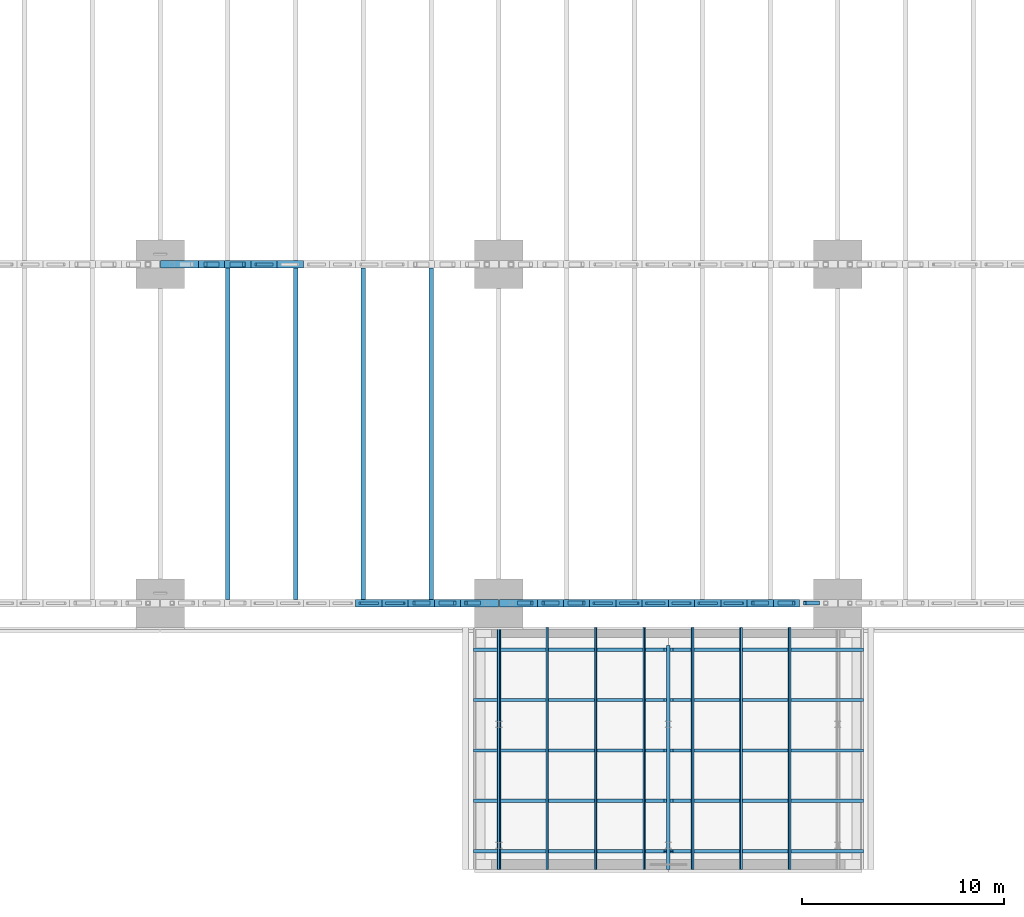
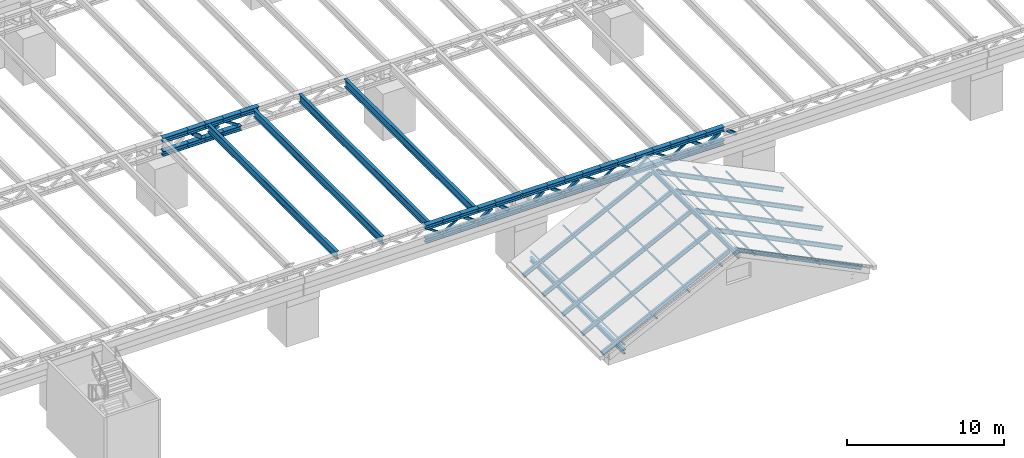
# One storey, part 22 of 93: 78 members, 6 beams.
"""IFC4 building model written with IfcOpenShell, lengths in metres."""

from ifc_helpers import new_model, si_unit, direction, frame, origin, origin_2d, place, context, subcontext, project, spatial, hollow_rectangle, i_section, extrude, material, material_profile, profile_set, type_object, element, save


model = new_model("IFC4")

# Units and contexts
model_context = context("Model", 3, precision=1e-05, world=origin(), true_north=direction((0.0, 1.0)))
body_context = subcontext(model_context, "Body", "Model", "MODEL_VIEW")
ifc_project = project(units=[si_unit("LENGTHUNIT", "METRE"), si_unit("AREAUNIT", "SQUARE_METRE"), si_unit("VOLUMEUNIT", "CUBIC_METRE"), si_unit("PLANEANGLEUNIT", "RADIAN"), si_unit("MASSUNIT", "GRAM", prefix="KILO")], contexts=[model_context])

# Site, building, storey
site_placement = place(None, origin())
site = spatial("IfcSite", under=ifc_project, at=site_placement, CompositionType="ELEMENT")
building_placement = place(site_placement, origin())
building = spatial("IfcBuilding", under=site, at=building_placement, Name="Verrick Yard Athletic Hall", CompositionType="ELEMENT")
storey_placement = place(building_placement, frame((0.0, 0.0, 8.800048828125)))
storey = spatial("IfcBuildingStorey", under=building, at=storey_placement, Name="L02", CompositionType="ELEMENT", Elevation=8.800048828125)

# Beam
ifc_material_1 = material(Name="Structural steel 350W (CSA G40.21)", Category="steel")
ifc_material_profile_1 = material_profile(ifc_material_1, i_section(OverallWidth=0.205078125, OverallDepth=0.31005859375, WebThickness=0.009521484375, FlangeThickness=0.016357421875, at=origin_2d()), Name="W310x74")
ifc_profile_set_1 = profile_set([ifc_material_profile_1], Name="Structural steel 350W (CSA G40.21)")
beam_type_1 = type_object("IfcBeamType", Name="STR Eave beam W310x74", PredefinedType="BEAM", material=ifc_profile_set_1)
beam_1_placement = place(storey_placement, frame((90.39990234375, 6.0, 0.634765625), z_axis=(0.0, 1.0, 0.0), x_axis=(-1.0, 0.0, 0.0)))
element("IfcBeam", 1, at=beam_1_placement, inside=storey, type_object=beam_type_1, Name="STR-EB-F1", PredefinedType="BEAM", context=body_context, shape_type="SweptSolid", body=[
    extrude(i_section(OverallWidth=0.205078125, OverallDepth=0.31005859375, WebThickness=0.009521484375, FlangeThickness=0.016357421875, at=origin_2d()), origin(), (0.0, 0.0, 1.0), 12.0),
])

# Members
ifc_material_profile_2 = material_profile(ifc_material_1, i_section(OverallWidth=0.368896484375, OverallDepth=0.35595703125, WebThickness=0.01123046875, FlangeThickness=0.01806640625, at=origin_2d()), Name="W360x134")
ifc_profile_set_2 = profile_set([ifc_material_profile_2], Name="Structural steel 350W (CSA G40.21)")
member_type_1 = type_object("IfcMemberType", Name="STR Edge truss bottom chord W360x134", PredefinedType="CHORD", material=ifc_profile_set_2)
member_1_placement = place(storey_placement, frame((83.300048828125, 19.199951171875, 3.827880859375), z_axis=(1.0, 0.0, 0.0), x_axis=(0.0, 1.0, 0.0)))
element("IfcMember", 2, at=member_1_placement, inside=storey, type_object=member_type_1, Name="STR-BC-GA3-8", PredefinedType="CHORD", context=body_context, shape_type="SweptSolid", body=[
    extrude(i_section(OverallWidth=0.368896484375, OverallDepth=0.35595703125, WebThickness=0.01123046875, FlangeThickness=0.01806640625, at=origin_2d()), origin(), (0.0, 0.0, 1.0), 1.300048828125),
])
member_2_placement = place(storey_placement, frame((84.60009765625, 19.199951171875, 3.827880859375), z_axis=(1.0, 0.0, 0.0), x_axis=(0.0, 1.0, 0.0)))
element("IfcMember", 3, at=member_2_placement, inside=storey, type_object=member_type_1, Name="STR-BC-GA3-9", PredefinedType="CHORD", context=body_context, shape_type="SweptSolid", body=[
    extrude(i_section(OverallWidth=0.368896484375, OverallDepth=0.35595703125, WebThickness=0.01123046875, FlangeThickness=0.01806640625, at=origin_2d()), origin(), (0.0, 0.0, 1.0), 1.2998046875),
])
for number, where, z_axis, x_axis, name in (
    (4, (85.89990234375, 19.199951171875, 3.827880859375), (1.0, 0.0, 0.0), (0.0, 1.0, 0.0), "STR-BC-GA3-10"),
    (5, (87.199951171875, 19.199951171875, 3.827880859375), (1.0, 0.0, 0.0), (0.0, 1.0, 0.0), "STR-BC-GA3-11"),
):
    element("IfcMember", number, at=place(storey_placement, frame(where, z_axis=z_axis, x_axis=x_axis)), inside=storey, type_object=member_type_1, Name=name, PredefinedType="CHORD", context=body_context, shape_type="SweptSolid", body=[
        extrude(i_section(OverallWidth=0.368896484375, OverallDepth=0.35595703125, WebThickness=0.01123046875, FlangeThickness=0.01806640625, at=origin_2d()), origin(), (0.0, 0.0, 1.0), 1.300048828125),
    ])
for number, where, z_axis, x_axis, name in (
    (6, (88.5, 19.199951171875, 3.827880859375), (1.0, 0.0, 0.0), (0.0, 1.0, 0.0), "STR-BC-GA3-12"),
    (7, (90.425048828125, 19.199951171875, 3.827880859375), (1.0, 0.0, 0.0), (0.0, 1.0, 0.0), "STR-BC-GA4-1"),
):
    element("IfcMember", number, at=place(storey_placement, frame(where, z_axis=z_axis, x_axis=x_axis)), inside=storey, type_object=member_type_1, Name=name, PredefinedType="CHORD", context=body_context, shape_type="SweptSolid", body=[
        extrude(i_section(OverallWidth=0.368896484375, OverallDepth=0.35595703125, WebThickness=0.01123046875, FlangeThickness=0.01806640625, at=origin_2d()), origin(), (0.0, 0.0, 1.0), 1.875),
    ])
member_3_placement = place(storey_placement, frame((92.300048828125, 19.199951171875, 3.827880859375), z_axis=(1.0, 0.0, 0.0), x_axis=(0.0, 1.0, 0.0)))
element("IfcMember", 8, at=member_3_placement, inside=storey, type_object=member_type_1, Name="STR-BC-GA4-2", PredefinedType="CHORD", context=body_context, shape_type="SweptSolid", body=[
    extrude(i_section(OverallWidth=0.368896484375, OverallDepth=0.35595703125, WebThickness=0.01123046875, FlangeThickness=0.01806640625, at=origin_2d()), origin(), (0.0, 0.0, 1.0), 1.300048828125),
])
member_4_placement = place(storey_placement, frame((93.60009765625, 19.199951171875, 3.827880859375), z_axis=(1.0, 0.0, 0.0), x_axis=(0.0, 1.0, 0.0)))
element("IfcMember", 9, at=member_4_placement, inside=storey, type_object=member_type_1, Name="STR-BC-GA4-3", PredefinedType="CHORD", context=body_context, shape_type="SweptSolid", body=[
    extrude(i_section(OverallWidth=0.368896484375, OverallDepth=0.35595703125, WebThickness=0.01123046875, FlangeThickness=0.01806640625, at=origin_2d()), origin(), (0.0, 0.0, 1.0), 1.2998046875),
])
for number, where, z_axis, x_axis, name in (
    (10, (94.89990234375, 19.199951171875, 3.827880859375), (1.0, 0.0, 0.0), (0.0, 1.0, 0.0), "STR-BC-GA4-4"),
    (11, (96.199951171875, 19.199951171875, 3.827880859375), (1.0, 0.0, 0.0), (0.0, 1.0, 0.0), "STR-BC-GA4-5"),
    (12, (97.5, 19.199951171875, 3.827880859375), (1.0, 0.0, 0.0), (0.0, 1.0, 0.0), "STR-BC-GA4-6"),
    (13, (98.800048828125, 19.199951171875, 3.827880859375), (1.0, 0.0, 0.0), (0.0, 1.0, 0.0), "STR-BC-GA4-7"),
):
    element("IfcMember", number, at=place(storey_placement, frame(where, z_axis=z_axis, x_axis=x_axis)), inside=storey, type_object=member_type_1, Name=name, PredefinedType="CHORD", context=body_context, shape_type="SweptSolid", body=[
        extrude(i_section(OverallWidth=0.368896484375, OverallDepth=0.35595703125, WebThickness=0.01123046875, FlangeThickness=0.01806640625, at=origin_2d()), origin(), (0.0, 0.0, 1.0), 1.300048828125),
    ])
member_5_placement = place(storey_placement, frame((100.10009765625, 19.199951171875, 3.827880859375), z_axis=(1.0, 0.0, 0.0), x_axis=(0.0, 1.0, 0.0)))
element("IfcMember", 14, at=member_5_placement, inside=storey, type_object=member_type_1, Name="STR-BC-GA4-8", PredefinedType="CHORD", context=body_context, shape_type="SweptSolid", body=[
    extrude(i_section(OverallWidth=0.368896484375, OverallDepth=0.35595703125, WebThickness=0.01123046875, FlangeThickness=0.01806640625, at=origin_2d()), origin(), (0.0, 0.0, 1.0), 1.2998046875),
])
for number, where, z_axis, x_axis, name in (
    (15, (101.39990234375, 19.199951171875, 3.827880859375), (1.0, 0.0, 0.0), (0.0, 1.0, 0.0), "STR-BC-GA4-9"),
    (16, (102.699951171875, 19.199951171875, 3.827880859375), (1.0, 0.0, 0.0), (0.0, 1.0, 0.0), "STR-BC-GA4-10"),
    (17, (104.0, 19.199951171875, 3.827880859375), (1.0, 0.0, 0.0), (0.0, 1.0, 0.0), "STR-BC-GA4-11"),
):
    element("IfcMember", number, at=place(storey_placement, frame(where, z_axis=z_axis, x_axis=x_axis)), inside=storey, type_object=member_type_1, Name=name, PredefinedType="CHORD", context=body_context, shape_type="SweptSolid", body=[
        extrude(i_section(OverallWidth=0.368896484375, OverallDepth=0.35595703125, WebThickness=0.01123046875, FlangeThickness=0.01806640625, at=origin_2d()), origin(), (0.0, 0.0, 1.0), 1.300048828125),
    ])
ifc_material_profile_3 = material_profile(ifc_material_1, i_section(OverallWidth=0.368896484375, OverallDepth=0.35595703125, WebThickness=0.01123046875, FlangeThickness=0.01806640625, at=origin_2d()), Name="W360x134")
ifc_profile_set_3 = profile_set([ifc_material_profile_3], Name="Structural steel 350W (CSA G40.21)")
member_type_2 = type_object("IfcMemberType", Name="STR Edge truss top chord W360x134", PredefinedType="CHORD", material=ifc_profile_set_3)
member_6_placement = place(storey_placement, frame((83.300048828125, 19.199951171875, 4.8720703125), z_axis=(1.0, 0.0, 0.0), x_axis=(0.0, 1.0, 0.0)))
element("IfcMember", 18, at=member_6_placement, inside=storey, type_object=member_type_2, Name="STR-TC-GA3-8", PredefinedType="CHORD", context=body_context, shape_type="SweptSolid", body=[
    extrude(i_section(OverallWidth=0.368896484375, OverallDepth=0.35595703125, WebThickness=0.01123046875, FlangeThickness=0.01806640625, at=origin_2d()), origin(), (0.0, 0.0, 1.0), 1.300048828125),
])
member_7_placement = place(storey_placement, frame((84.60009765625, 19.199951171875, 4.8720703125), z_axis=(1.0, 0.0, 0.0), x_axis=(0.0, 1.0, 0.0)))
element("IfcMember", 19, at=member_7_placement, inside=storey, type_object=member_type_2, Name="STR-TC-GA3-9", PredefinedType="CHORD", context=body_context, shape_type="SweptSolid", body=[
    extrude(i_section(OverallWidth=0.368896484375, OverallDepth=0.35595703125, WebThickness=0.01123046875, FlangeThickness=0.01806640625, at=origin_2d()), origin(), (0.0, 0.0, 1.0), 1.2998046875),
])
for number, where, z_axis, x_axis, name in (
    (20, (85.89990234375, 19.199951171875, 4.8720703125), (1.0, 0.0, 0.0), (0.0, 1.0, 0.0), "STR-TC-GA3-10"),
    (21, (87.199951171875, 19.199951171875, 4.8720703125), (1.0, 0.0, 0.0), (0.0, 1.0, 0.0), "STR-TC-GA3-11"),
):
    element("IfcMember", number, at=place(storey_placement, frame(where, z_axis=z_axis, x_axis=x_axis)), inside=storey, type_object=member_type_2, Name=name, PredefinedType="CHORD", context=body_context, shape_type="SweptSolid", body=[
        extrude(i_section(OverallWidth=0.368896484375, OverallDepth=0.35595703125, WebThickness=0.01123046875, FlangeThickness=0.01806640625, at=origin_2d()), origin(), (0.0, 0.0, 1.0), 1.300048828125),
    ])
for number, where, z_axis, x_axis, name in (
    (22, (88.5, 19.199951171875, 4.8720703125), (1.0, 0.0, 0.0), (0.0, 1.0, 0.0), "STR-TC-GA3-12"),
    (23, (90.425048828125, 19.199951171875, 4.8720703125), (1.0, 0.0, 0.0), (0.0, 1.0, 0.0), "STR-TC-GA4-1"),
):
    element("IfcMember", number, at=place(storey_placement, frame(where, z_axis=z_axis, x_axis=x_axis)), inside=storey, type_object=member_type_2, Name=name, PredefinedType="CHORD", context=body_context, shape_type="SweptSolid", body=[
        extrude(i_section(OverallWidth=0.368896484375, OverallDepth=0.35595703125, WebThickness=0.01123046875, FlangeThickness=0.01806640625, at=origin_2d()), origin(), (0.0, 0.0, 1.0), 1.875),
    ])
member_8_placement = place(storey_placement, frame((92.300048828125, 19.199951171875, 4.8720703125), z_axis=(1.0, 0.0, 0.0), x_axis=(0.0, 1.0, 0.0)))
element("IfcMember", 24, at=member_8_placement, inside=storey, type_object=member_type_2, Name="STR-TC-GA4-2", PredefinedType="CHORD", context=body_context, shape_type="SweptSolid", body=[
    extrude(i_section(OverallWidth=0.368896484375, OverallDepth=0.35595703125, WebThickness=0.01123046875, FlangeThickness=0.01806640625, at=origin_2d()), origin(), (0.0, 0.0, 1.0), 1.300048828125),
])
member_9_placement = place(storey_placement, frame((93.60009765625, 19.199951171875, 4.8720703125), z_axis=(1.0, 0.0, 0.0), x_axis=(0.0, 1.0, 0.0)))
element("IfcMember", 25, at=member_9_placement, inside=storey, type_object=member_type_2, Name="STR-TC-GA4-3", PredefinedType="CHORD", context=body_context, shape_type="SweptSolid", body=[
    extrude(i_section(OverallWidth=0.368896484375, OverallDepth=0.35595703125, WebThickness=0.01123046875, FlangeThickness=0.01806640625, at=origin_2d()), origin(), (0.0, 0.0, 1.0), 1.2998046875),
])
for number, where, z_axis, x_axis, name in (
    (26, (94.89990234375, 19.199951171875, 4.8720703125), (1.0, 0.0, 0.0), (0.0, 1.0, 0.0), "STR-TC-GA4-4"),
    (27, (96.199951171875, 19.199951171875, 4.8720703125), (1.0, 0.0, 0.0), (0.0, 1.0, 0.0), "STR-TC-GA4-5"),
    (28, (97.5, 19.199951171875, 4.8720703125), (1.0, 0.0, 0.0), (0.0, 1.0, 0.0), "STR-TC-GA4-6"),
    (29, (98.800048828125, 19.199951171875, 4.8720703125), (1.0, 0.0, 0.0), (0.0, 1.0, 0.0), "STR-TC-GA4-7"),
):
    element("IfcMember", number, at=place(storey_placement, frame(where, z_axis=z_axis, x_axis=x_axis)), inside=storey, type_object=member_type_2, Name=name, PredefinedType="CHORD", context=body_context, shape_type="SweptSolid", body=[
        extrude(i_section(OverallWidth=0.368896484375, OverallDepth=0.35595703125, WebThickness=0.01123046875, FlangeThickness=0.01806640625, at=origin_2d()), origin(), (0.0, 0.0, 1.0), 1.300048828125),
    ])
member_10_placement = place(storey_placement, frame((100.10009765625, 19.199951171875, 4.8720703125), z_axis=(1.0, 0.0, 0.0), x_axis=(0.0, 1.0, 0.0)))
element("IfcMember", 30, at=member_10_placement, inside=storey, type_object=member_type_2, Name="STR-TC-GA4-8", PredefinedType="CHORD", context=body_context, shape_type="SweptSolid", body=[
    extrude(i_section(OverallWidth=0.368896484375, OverallDepth=0.35595703125, WebThickness=0.01123046875, FlangeThickness=0.01806640625, at=origin_2d()), origin(), (0.0, 0.0, 1.0), 1.2998046875),
])
for number, where, z_axis, x_axis, name in (
    (31, (101.39990234375, 19.199951171875, 4.8720703125), (1.0, 0.0, 0.0), (0.0, 1.0, 0.0), "STR-TC-GA4-9"),
    (32, (102.699951171875, 19.199951171875, 4.8720703125), (1.0, 0.0, 0.0), (0.0, 1.0, 0.0), "STR-TC-GA4-10"),
    (33, (104.0, 19.199951171875, 4.8720703125), (1.0, 0.0, 0.0), (0.0, 1.0, 0.0), "STR-TC-GA4-11"),
):
    element("IfcMember", number, at=place(storey_placement, frame(where, z_axis=z_axis, x_axis=x_axis)), inside=storey, type_object=member_type_2, Name=name, PredefinedType="CHORD", context=body_context, shape_type="SweptSolid", body=[
        extrude(i_section(OverallWidth=0.368896484375, OverallDepth=0.35595703125, WebThickness=0.01123046875, FlangeThickness=0.01806640625, at=origin_2d()), origin(), (0.0, 0.0, 1.0), 1.300048828125),
    ])
ifc_material_2 = material(Name="Structural steel HSS Class C 350W (CSA G40.20/G40.21)", Category="steel")
ifc_material_profile_4 = material_profile(ifc_material_2, hollow_rectangle(XDim=0.126953125, YDim=0.126953125, WallThickness=0.009521484375, at=origin_2d()), Name="HSS127x127x9.5")
ifc_profile_set_4 = profile_set([ifc_material_profile_4], Name="Structural steel HSS Class C 350W (CSA G40.20/G40.21)")
member_type_3 = type_object("IfcMemberType", Name="STR Edge truss web HSS127x127x9.5", PredefinedType="BRACE", material=ifc_profile_set_4)
member_11_placement = place(storey_placement, frame((83.50244140625, 19.199951171875, 4.641357421875), z_axis=(0.838083139624, 0.0, -0.54554252912), x_axis=(0.0, 1.0, 0.0)))
element("IfcMember", 34, at=member_11_placement, inside=storey, type_object=member_type_3, Name="STR-TW-GA3-8", PredefinedType="BRACE", context=body_context, shape_type="SweptSolid", body=[
    extrude(hollow_rectangle(XDim=0.126953125, YDim=0.126953125, WallThickness=0.009521484375, at=origin_2d()), origin(), (0.0, 0.0, 1.0), 1.068115234375),
])
member_12_placement = place(storey_placement, frame((84.80224609375, 19.199951171875, 4.05859375), z_axis=(0.838151139583, 0.0, 0.545438050759), x_axis=(0.0, 1.0, 0.0)))
element("IfcMember", 35, at=member_12_placement, inside=storey, type_object=member_type_3, Name="STR-TW-GA3-9", PredefinedType="BRACE", context=body_context, shape_type="SweptSolid", body=[
    extrude(hollow_rectangle(XDim=0.126953125, YDim=0.126953125, WallThickness=0.009521484375, at=origin_2d()), origin(), (0.0, 0.0, 1.0), 1.068359375),
])
for number, where, z_axis, x_axis, name in (
    (36, (95.102294921875, 19.199951171875, 4.641357421875), (0.838083139624, 0.0, -0.54554252912), (0.0, 1.0, 0.0), "STR-TW-GA4-4"),
    (37, (96.40234375, 19.199951171875, 4.05859375), (0.838083139624, 0.0, 0.54554252912), (0.0, 1.0, 0.0), "STR-TW-GA4-5"),
    (38, (97.702392578125, 19.199951171875, 4.641357421875), (0.838083139624, 0.0, -0.54554252912), (0.0, 1.0, 0.0), "STR-TW-GA4-6"),
    (39, (99.00244140625, 19.199951171875, 4.05859375), (0.838083139624, 0.0, 0.54554252912), (0.0, 1.0, 0.0), "STR-TW-GA4-7"),
):
    element("IfcMember", number, at=place(storey_placement, frame(where, z_axis=z_axis, x_axis=x_axis)), inside=storey, type_object=member_type_3, Name=name, PredefinedType="BRACE", context=body_context, shape_type="SweptSolid", body=[
        extrude(hollow_rectangle(XDim=0.126953125, YDim=0.126953125, WallThickness=0.009521484375, at=origin_2d()), origin(), (0.0, 0.0, 1.0), 1.068115234375),
    ])
member_13_placement = place(storey_placement, frame((100.30224609375, 19.199951171875, 4.641357421875), z_axis=(0.838151139583, 0.0, -0.545438050759), x_axis=(0.0, 1.0, 0.0)))
element("IfcMember", 40, at=member_13_placement, inside=storey, type_object=member_type_3, Name="STR-TW-GA4-8", PredefinedType="BRACE", context=body_context, shape_type="SweptSolid", body=[
    extrude(hollow_rectangle(XDim=0.126953125, YDim=0.126953125, WallThickness=0.009521484375, at=origin_2d()), origin(), (0.0, 0.0, 1.0), 1.068359375),
])
member_14_placement = place(storey_placement, frame((101.602294921875, 19.199951171875, 4.05859375), z_axis=(0.838083139624, 0.0, 0.54554252912), x_axis=(0.0, 1.0, 0.0)))
element("IfcMember", 41, at=member_14_placement, inside=storey, type_object=member_type_3, Name="STR-TW-GA4-9", PredefinedType="BRACE", context=body_context, shape_type="SweptSolid", body=[
    extrude(hollow_rectangle(XDim=0.126953125, YDim=0.126953125, WallThickness=0.009521484375, at=origin_2d()), origin(), (0.0, 0.0, 1.0), 1.068115234375),
])
ifc_material_profile_5 = material_profile(ifc_material_2, hollow_rectangle(XDim=0.203125, YDim=0.203125, WallThickness=0.0126953125, at=origin_2d()), Name="HSS203x203x13")
ifc_profile_set_5 = profile_set([ifc_material_profile_5], Name="Structural steel HSS Class C 350W (CSA G40.20/G40.21)")
member_type_4 = type_object("IfcMemberType", Name="STR Edge truss web HSS203x203x13", PredefinedType="BRACE", material=ifc_profile_set_5)
member_15_placement = place(storey_placement, frame((86.189697265625, 19.199951171875, 4.6123046875), z_axis=(0.808333297144, 0.0, -0.588725131728), x_axis=(0.0, 1.0, 0.0)))
element("IfcMember", 42, at=member_15_placement, inside=storey, type_object=member_type_4, Name="STR-TW-GA3-10", PredefinedType="BRACE", context=body_context, shape_type="SweptSolid", body=[
    extrude(hollow_rectangle(XDim=0.203125, YDim=0.203125, WallThickness=0.0126953125, at=origin_2d()), origin(), (0.0, 0.0, 1.0), 0.8916015625),
])
member_16_placement = place(storey_placement, frame((87.489501953125, 19.199951171875, 4.08740234375), z_axis=(0.808428172865, 0.0, 0.588594843095), x_axis=(0.0, 1.0, 0.0)))
element("IfcMember", 43, at=member_16_placement, inside=storey, type_object=member_type_4, Name="STR-TW-GA3-11", PredefinedType="BRACE", context=body_context, shape_type="SweptSolid", body=[
    extrude(hollow_rectangle(XDim=0.203125, YDim=0.203125, WallThickness=0.0126953125, at=origin_2d()), origin(), (0.0, 0.0, 1.0), 0.891845703125),
])
for number, where, z_axis, x_axis, name in (
    (44, (88.765625, 19.199951171875, 4.615234375), (0.780391329508, 0.0, -0.625291430318), (0.0, 1.0, 0.0), "STR-TW-GA3-12"),
    (45, (91.372314453125, 19.199951171875, 4.084716796875), (0.780391329508, 0.0, 0.625291430318), (0.0, 1.0, 0.0), "STR-TW-GA4-1"),
):
    element("IfcMember", number, at=place(storey_placement, frame(where, z_axis=z_axis, x_axis=x_axis)), inside=storey, type_object=member_type_4, Name=name, PredefinedType="BRACE", context=body_context, shape_type="SweptSolid", body=[
        extrude(hollow_rectangle(XDim=0.203125, YDim=0.203125, WallThickness=0.0126953125, at=origin_2d()), origin(), (0.0, 0.0, 1.0), 0.848388671875),
    ])
for number, where, z_axis, x_axis, name in (
    (46, (92.589599609375, 19.199951171875, 4.6123046875), (0.808333297144, 0.0, -0.588725131728), (0.0, 1.0, 0.0), "STR-TW-GA4-2"),
    (47, (93.8896484375, 19.199951171875, 4.08740234375), (0.808333297144, 0.0, 0.588725131728), (0.0, 1.0, 0.0), "STR-TW-GA4-3"),
):
    element("IfcMember", number, at=place(storey_placement, frame(where, z_axis=z_axis, x_axis=x_axis)), inside=storey, type_object=member_type_4, Name=name, PredefinedType="BRACE", context=body_context, shape_type="SweptSolid", body=[
        extrude(hollow_rectangle(XDim=0.203125, YDim=0.203125, WallThickness=0.0126953125, at=origin_2d()), origin(), (0.0, 0.0, 1.0), 0.8916015625),
    ])
for number, where, z_axis, x_axis, name in (
    (48, (102.989501953125, 19.199951171875, 4.6123046875), (0.808428172865, 0.0, -0.588594843095), (0.0, 1.0, 0.0), "STR-TW-GA4-10"),
    (49, (104.28955078125, 19.199951171875, 4.08740234375), (0.808428172865, 0.0, 0.588594843095), (0.0, 1.0, 0.0), "STR-TW-GA4-11"),
):
    element("IfcMember", number, at=place(storey_placement, frame(where, z_axis=z_axis, x_axis=x_axis)), inside=storey, type_object=member_type_4, Name=name, PredefinedType="BRACE", context=body_context, shape_type="SweptSolid", body=[
        extrude(hollow_rectangle(XDim=0.203125, YDim=0.203125, WallThickness=0.0126953125, at=origin_2d()), origin(), (0.0, 0.0, 1.0), 0.891845703125),
    ])
member_17_placement = place(storey_placement, frame((105.565673828125, 19.199951171875, 4.615234375), z_axis=(0.780391329508, 0.0, -0.625291430318), x_axis=(0.0, 1.0, 0.0)))
element("IfcMember", 50, at=member_17_placement, inside=storey, type_object=member_type_4, Name="STR-TW-GA4-12", PredefinedType="BRACE", context=body_context, shape_type="SweptSolid", body=[
    extrude(hollow_rectangle(XDim=0.203125, YDim=0.203125, WallThickness=0.0126953125, at=origin_2d()), origin(), (0.0, 0.0, 1.0), 0.848388671875),
])
ifc_material_profile_6 = material_profile(ifc_material_2, hollow_rectangle(XDim=0.1015625, YDim=0.1015625, WallThickness=0.00634765625, at=origin_2d()), Name="HSS102x102x6.4")
ifc_profile_set_6 = profile_set([ifc_material_profile_6], Name="Structural steel HSS Class C 350W (CSA G40.20/G40.21)")
member_type_5 = type_object("IfcMemberType", Name="STR Purlin HSS102x102x6.4", PredefinedType="PURLIN", material=ifc_profile_set_6)
for number, where, z_axis, x_axis, name in (
    (51, (97.60009765625, 6.0, 4.793212890625), (0.0, 1.0, 0.0), (-0.894427191001, 0.0, -0.447213595499), "STR-PU-FW1"),
    (52, (95.199951171875, 6.0, 3.59326171875), (0.0, 1.0, 0.0), (-0.894427191001, 0.0, -0.447213595499), "STR-PU-FW2"),
    (53, (92.800048828125, 6.0, 2.39306640625), (0.0, 1.0, 0.0), (-0.894427191001, 0.0, -0.447213595499), "STR-PU-FW3"),
    (54, (90.39990234375, 6.0, 1.193115234375), (0.0, 1.0, 0.0), (-0.894427191001, 0.0, -0.447213595499), "STR-PU-FW4"),
    (55, (100.0, 6.0, 4.793212890625), (0.0, 1.0, 0.0), (-0.894427191001, 0.0, 0.447213595499), "STR-PU-FE1"),
    (56, (102.39990234375, 6.0, 3.59326171875), (0.0, 1.0, 0.0), (-0.894427191001, 0.0, 0.447213595499), "STR-PU-FE2"),
    (57, (104.800048828125, 6.0, 2.39306640625), (0.0, 1.0, 0.0), (-0.894427191001, 0.0, 0.447213595499), "STR-PU-FE3"),
):
    element("IfcMember", number, at=place(storey_placement, frame(where, z_axis=z_axis, x_axis=x_axis)), inside=storey, type_object=member_type_5, Name=name, PredefinedType="PURLIN", context=body_context, shape_type="SweptSolid", body=[
        extrude(hollow_rectangle(XDim=0.1015625, YDim=0.1015625, WallThickness=0.00634765625, at=origin_2d()), origin(), (0.0, 0.0, 1.0), 12.0),
    ])
ifc_material_profile_7 = material_profile(ifc_material_1, i_section(OverallWidth=0.1650390625, OverallDepth=0.31005859375, WebThickness=0.005859375, FlangeThickness=0.009765625, at=origin_2d()), Name="W310x39")
ifc_profile_set_7 = profile_set([ifc_material_profile_7], Name="Structural steel 350W (CSA G40.21)")
member_type_6 = type_object("IfcMemberType", Name="STR Rafter W310x39", PredefinedType="RAFTER", material=ifc_profile_set_7)
for number, where, z_axis, x_axis, name in (
    (58, (98.64306640625, 6.89990234375, 5.084716796875), (-0.894422566104, 0.0, -0.447222845173), (0.0, -1.0, 0.0), "STR-RA-FW1"),
    (59, (98.956787109375, 6.89990234375, 5.084716796875), (0.894422566104, 0.0, -0.447222845173), (0.0, 1.0, 0.0), "STR-RA-FE1"),
    (60, (98.64306640625, 9.39990234375, 5.084716796875), (-0.894422566104, 0.0, -0.447222845173), (0.0, -1.0, 0.0), "STR-RA-FW2"),
    (61, (98.956787109375, 9.39990234375, 5.084716796875), (0.894422566104, 0.0, -0.447222845173), (0.0, 1.0, 0.0), "STR-RA-FE2"),
    (62, (98.64306640625, 11.89990234375, 5.084716796875), (-0.894422566104, 0.0, -0.447222845173), (0.0, -1.0, 0.0), "STR-RA-FW3"),
    (63, (98.956787109375, 11.89990234375, 5.084716796875), (0.894422566104, 0.0, -0.447222845173), (0.0, 1.0, 0.0), "STR-RA-FE3"),
    (64, (98.64306640625, 14.39990234375, 5.084716796875), (-0.894422566104, 0.0, -0.447222845173), (0.0, -1.0, 0.0), "STR-RA-FW4"),
    (65, (98.956787109375, 14.39990234375, 5.084716796875), (0.894422566104, 0.0, -0.447222845173), (0.0, 1.0, 0.0), "STR-RA-FE4"),
    (66, (98.64306640625, 16.89990234375, 5.084716796875), (-0.894422566104, 0.0, -0.447222845173), (0.0, -1.0, 0.0), "STR-RA-FW5"),
    (67, (98.956787109375, 16.89990234375, 5.084716796875), (0.894422566104, 0.0, -0.447222845173), (0.0, 1.0, 0.0), "STR-RA-FE5"),
):
    element("IfcMember", number, at=place(storey_placement, frame(where, z_axis=z_axis, x_axis=x_axis)), inside=storey, type_object=member_type_6, Name=name, PredefinedType="RAFTER", context=body_context, shape_type="SweptSolid", body=[
        extrude(i_section(OverallWidth=0.1650390625, OverallDepth=0.31005859375, WebThickness=0.005859375, FlangeThickness=0.009765625, at=origin_2d()), origin(), (0.0, 0.0, 1.0), 10.557861328125),
    ])

# Beams
ifc_material_profile_8 = material_profile(ifc_material_1, i_section(OverallWidth=0.1708984375, OverallDepth=0.35498046875, WebThickness=0.007080078125, FlangeThickness=0.01171875, at=origin_2d()), Name="W360x51")
ifc_profile_set_8 = profile_set([ifc_material_profile_8], Name="Structural steel 350W (CSA G40.21)")
beam_type_2 = type_object("IfcBeamType", Name="STR Ridge beam W360x51", PredefinedType="BEAM", material=ifc_profile_set_8)
beam_2_placement = place(storey_placement, frame((98.800048828125, 6.0, 5.158935546875), z_axis=(0.0, 1.0, 0.0), x_axis=(-1.0, 0.0, 0.0)))
element("IfcBeam", 68, at=beam_2_placement, inside=storey, type_object=beam_type_2, Name="STR-RB-F1", PredefinedType="BEAM", context=body_context, shape_type="SweptSolid", body=[
    extrude(i_section(OverallWidth=0.1708984375, OverallDepth=0.35498046875, WebThickness=0.007080078125, FlangeThickness=0.01171875, at=origin_2d()), origin(), (0.0, 0.0, 1.0), 11.10009765625),
])
ifc_material_profile_9 = material_profile(ifc_material_1, i_section(OverallWidth=0.22802734375, OverallDepth=0.60791015625, WebThickness=0.01123046875, FlangeThickness=0.017333984375, at=origin_2d()), Name="W610x113")
ifc_profile_set_9 = profile_set([ifc_material_profile_9], Name="Structural steel 350W (CSA G40.21)")
beam_type_3 = type_object("IfcBeamType", Name="STR Secondary beam W610x113", PredefinedType="BEAM", material=ifc_profile_set_9)
for number, where, z_axis, x_axis, name in (
    (69, (76.9599609375, 19.384521484375, 4.745849609375), (0.0, 1.0, 0.0), (-1.0, 0.0, 0.0), "STR-SB-S131"),
    (70, (80.320068359375, 19.384521484375, 4.745849609375), (0.0, 1.0, 0.0), (-1.0, 0.0, 0.0), "STR-SB-S132"),
    (71, (83.679931640625, 19.384521484375, 4.745849609375), (0.0, 1.0, 0.0), (-1.0, 0.0, 0.0), "STR-SB-S133"),
    (72, (87.0400390625, 19.384521484375, 4.745849609375), (0.0, 1.0, 0.0), (-1.0, 0.0, 0.0), "STR-SB-S134"),
):
    element("IfcBeam", number, at=place(storey_placement, frame(where, z_axis=z_axis, x_axis=x_axis)), inside=storey, type_object=beam_type_3, Name=name, PredefinedType="BEAM", context=body_context, shape_type="SweptSolid", body=[
        extrude(i_section(OverallWidth=0.22802734375, OverallDepth=0.60791015625, WebThickness=0.01123046875, FlangeThickness=0.017333984375, at=origin_2d()), origin(), (0.0, 0.0, 1.0), 16.428466796875),
    ])

# Members
ifc_material_profile_10 = material_profile(ifc_material_1, i_section(OverallWidth=0.3740234375, OverallDepth=0.3720703125, WebThickness=0.016357421875, FlangeThickness=0.026123046875, at=origin_2d()), Name="W360x196")
ifc_profile_set_10 = profile_set([ifc_material_profile_10], Name="Structural steel 350W (CSA G40.21)")
member_type_7 = type_object("IfcMemberType", Name="STR Truss bottom chord W360x196", PredefinedType="CHORD", material=ifc_profile_set_10)
member_18_placement = place(storey_placement, frame((73.625, 36.0, 3.8359375), z_axis=(1.0, 0.0, 0.0), x_axis=(0.0, 1.0, 0.0)))
element("IfcMember", 73, at=member_18_placement, inside=storey, type_object=member_type_7, Name="STR-BC-GB3-1", PredefinedType="CHORD", context=body_context, shape_type="SweptSolid", body=[
    extrude(i_section(OverallWidth=0.3740234375, OverallDepth=0.3720703125, WebThickness=0.016357421875, FlangeThickness=0.026123046875, at=origin_2d()), origin(), (0.0, 0.0, 1.0), 1.875),
])
for number, where, z_axis, x_axis, name in (
    (74, (75.5, 36.0, 3.8359375), (1.0, 0.0, 0.0), (0.0, 1.0, 0.0), "STR-BC-GB3-2"),
    (75, (76.800048828125, 36.0, 3.8359375), (1.0, 0.0, 0.0), (0.0, 1.0, 0.0), "STR-BC-GB3-3"),
):
    element("IfcMember", number, at=place(storey_placement, frame(where, z_axis=z_axis, x_axis=x_axis)), inside=storey, type_object=member_type_7, Name=name, PredefinedType="CHORD", context=body_context, shape_type="SweptSolid", body=[
        extrude(i_section(OverallWidth=0.3740234375, OverallDepth=0.3720703125, WebThickness=0.016357421875, FlangeThickness=0.026123046875, at=origin_2d()), origin(), (0.0, 0.0, 1.0), 1.300048828125),
    ])
member_19_placement = place(storey_placement, frame((78.10009765625, 36.0, 3.8359375), z_axis=(1.0, 0.0, 0.0), x_axis=(0.0, 1.0, 0.0)))
element("IfcMember", 76, at=member_19_placement, inside=storey, type_object=member_type_7, Name="STR-BC-GB3-4", PredefinedType="CHORD", context=body_context, shape_type="SweptSolid", body=[
    extrude(i_section(OverallWidth=0.3740234375, OverallDepth=0.3720703125, WebThickness=0.016357421875, FlangeThickness=0.026123046875, at=origin_2d()), origin(), (0.0, 0.0, 1.0), 1.2998046875),
])
ifc_material_profile_11 = material_profile(ifc_material_1, i_section(OverallWidth=0.3740234375, OverallDepth=0.3720703125, WebThickness=0.016357421875, FlangeThickness=0.026123046875, at=origin_2d()), Name="W360x196")
ifc_profile_set_11 = profile_set([ifc_material_profile_11], Name="Structural steel 350W (CSA G40.21)")
member_type_8 = type_object("IfcMemberType", Name="STR Truss top chord W360x196", PredefinedType="CHORD", material=ifc_profile_set_11)
member_20_placement = place(storey_placement, frame((73.625, 36.0, 4.864013671875), z_axis=(1.0, 0.0, 0.0), x_axis=(0.0, 1.0, 0.0)))
element("IfcMember", 77, at=member_20_placement, inside=storey, type_object=member_type_8, Name="STR-TC-GB3-1", PredefinedType="CHORD", context=body_context, shape_type="SweptSolid", body=[
    extrude(i_section(OverallWidth=0.3740234375, OverallDepth=0.3720703125, WebThickness=0.016357421875, FlangeThickness=0.026123046875, at=origin_2d()), origin(), (0.0, 0.0, 1.0), 1.875),
])
for number, where, z_axis, x_axis, name in (
    (78, (75.5, 36.0, 4.864013671875), (1.0, 0.0, 0.0), (0.0, 1.0, 0.0), "STR-TC-GB3-2"),
    (79, (76.800048828125, 36.0, 4.864013671875), (1.0, 0.0, 0.0), (0.0, 1.0, 0.0), "STR-TC-GB3-3"),
):
    element("IfcMember", number, at=place(storey_placement, frame(where, z_axis=z_axis, x_axis=x_axis)), inside=storey, type_object=member_type_8, Name=name, PredefinedType="CHORD", context=body_context, shape_type="SweptSolid", body=[
        extrude(i_section(OverallWidth=0.3740234375, OverallDepth=0.3720703125, WebThickness=0.016357421875, FlangeThickness=0.026123046875, at=origin_2d()), origin(), (0.0, 0.0, 1.0), 1.300048828125),
    ])
member_21_placement = place(storey_placement, frame((78.10009765625, 36.0, 4.864013671875), z_axis=(1.0, 0.0, 0.0), x_axis=(0.0, 1.0, 0.0)))
element("IfcMember", 80, at=member_21_placement, inside=storey, type_object=member_type_8, Name="STR-TC-GB3-4", PredefinedType="CHORD", context=body_context, shape_type="SweptSolid", body=[
    extrude(i_section(OverallWidth=0.3740234375, OverallDepth=0.3720703125, WebThickness=0.016357421875, FlangeThickness=0.026123046875, at=origin_2d()), origin(), (0.0, 0.0, 1.0), 1.2998046875),
])
member_22_placement = place(storey_placement, frame((79.39990234375, 36.0, 4.864013671875), z_axis=(1.0, 0.0, 0.0), x_axis=(0.0, 1.0, 0.0)))
element("IfcMember", 81, at=member_22_placement, inside=storey, type_object=member_type_8, Name="STR-TC-GB3-5", PredefinedType="CHORD", context=body_context, shape_type="SweptSolid", body=[
    extrude(i_section(OverallWidth=0.3740234375, OverallDepth=0.3720703125, WebThickness=0.016357421875, FlangeThickness=0.026123046875, at=origin_2d()), origin(), (0.0, 0.0, 1.0), 1.300048828125),
])
ifc_material_profile_12 = material_profile(ifc_material_2, hollow_rectangle(XDim=0.15234375, YDim=0.15234375, WallThickness=0.009521484375, at=origin_2d()), Name="HSS152x152x9.5")
ifc_profile_set_12 = profile_set([ifc_material_profile_12], Name="Structural steel HSS Class C 350W (CSA G40.20/G40.21)")
member_type_9 = type_object("IfcMemberType", Name="STR Truss web HSS152x152x9.5", PredefinedType="BRACE", material=ifc_profile_set_12)
member_23_placement = place(storey_placement, frame((78.342529296875, 36.0, 4.614501953125), z_axis=(0.838638726033, 0.0, -0.544688064122), x_axis=(0.0, 1.0, 0.0)))
element("IfcMember", 82, at=member_23_placement, inside=storey, type_object=member_type_9, Name="STR-TW-GB3-4", PredefinedType="BRACE", context=body_context, shape_type="SweptSolid", body=[
    extrude(hollow_rectangle(XDim=0.15234375, YDim=0.15234375, WallThickness=0.009521484375, at=origin_2d()), origin(), (0.0, 0.0, 1.0), 0.9716796875),
])
ifc_material_profile_13 = material_profile(ifc_material_2, hollow_rectangle(XDim=0.25390625, YDim=0.25390625, WallThickness=0.0126953125, at=origin_2d()), Name="HSS254x254x13")
ifc_profile_set_13 = profile_set([ifc_material_profile_13], Name="Structural steel HSS Class C 350W (CSA G40.20/G40.21)")
member_type_10 = type_object("IfcMemberType", Name="STR Truss web HSS254x254x13", PredefinedType="BRACE", material=ifc_profile_set_13)
for number, where, z_axis, x_axis, name in (
    (83, (75.84912109375, 36.0, 4.5771484375), (0.798092207374, 0.0, -0.602535333843), (0.0, 1.0, 0.0), "STR-TW-GB3-2"),
    (84, (77.149169921875, 36.0, 4.122802734375), (0.798092207374, 0.0, 0.602535333843), (0.0, 1.0, 0.0), "STR-TW-GB3-3"),
):
    element("IfcMember", number, at=place(storey_placement, frame(where, z_axis=z_axis, x_axis=x_axis)), inside=storey, type_object=member_type_10, Name=name, PredefinedType="BRACE", context=body_context, shape_type="SweptSolid", body=[
        extrude(hollow_rectangle(XDim=0.25390625, YDim=0.25390625, WallThickness=0.0126953125, at=origin_2d()), origin(), (0.0, 0.0, 1.0), 0.754150390625),
    ])

save(model, "model.ifc")
